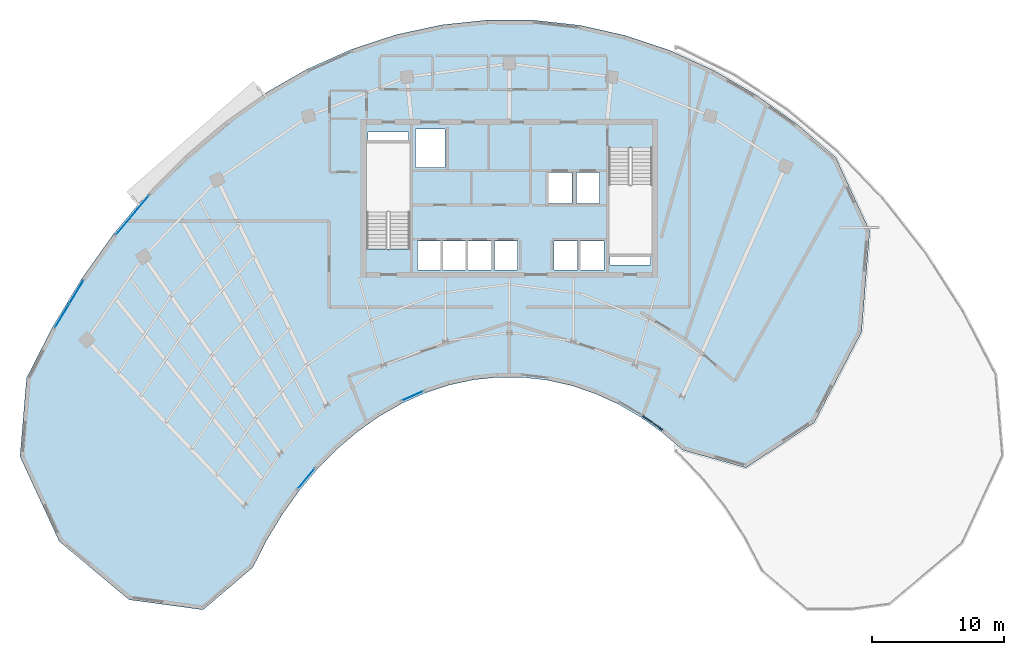
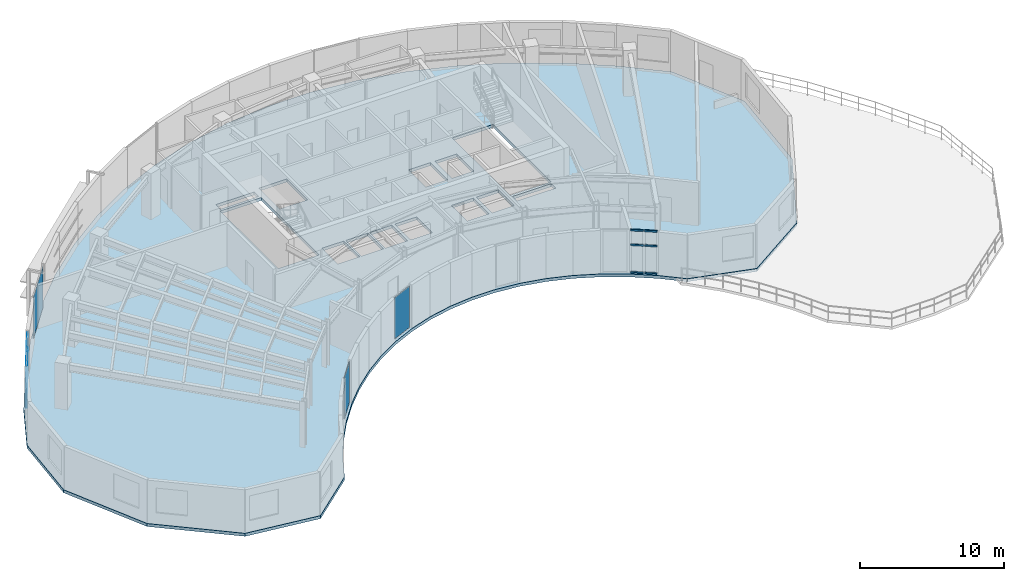
# One storey, part 5 of 15: 7 plates, 6 members, 1 slab, 5 elements without a shape of their own.
"""IFC4 building model written with IfcOpenShell, lengths in metres."""

from ifc_helpers import new_model, si_unit, direction, frame, origin, origin_2d, place, context, subcontext, project, spatial, polyline, rectangle, outline, extrude, source, transform, mapped, material, layer, layer_set, material_profile, profile_set, type_object, element, aggregate, save


model = new_model("IFC4")

# Units and contexts
model_context = context("Model", 3, precision=1e-05, world=origin(), true_north=direction((0.0, 1.0)))
body_context = subcontext(model_context, "Body", "Model", "MODEL_VIEW")
ifc_project = project(units=[si_unit("LENGTHUNIT", "METRE"), si_unit("AREAUNIT", "SQUARE_METRE"), si_unit("VOLUMEUNIT", "CUBIC_METRE"), si_unit("PLANEANGLEUNIT", "RADIAN"), si_unit("MASSUNIT", "GRAM", prefix="KILO")], contexts=[model_context])

# Site, building, storey
site_placement = place(None, origin())
site = spatial("IfcSite", under=ifc_project, at=site_placement, CompositionType="ELEMENT")
building_placement = place(site_placement, origin())
building = spatial("IfcBuilding", under=site, at=building_placement, Name="Breltana Convention Tower", CompositionType="ELEMENT")
storey_placement = place(building_placement, frame((0.0, 0.0, 231.300048828125)))
storey = spatial("IfcBuildingStorey", under=building, at=storey_placement, Name="L56", CompositionType="ELEMENT", Elevation=231.300048828125)

# Curtain wall, members
ifc_material_1 = material(Name="Aluminium Anodised Bronze Frame", Category="aluminium")
ifc_layer_1 = layer(ifc_material_1, 0.18994140625, Name="Aluminium Anodised Bronze Frame")
ifc_layer_set_1 = layer_set([ifc_layer_1], Name="Aluminium Anodised Bronze Frame")
curtain_wall_type_1 = type_object("IfcCurtainWallType", Name="CW-SYS-1", PredefinedType="NOTDEFINED", material=ifc_layer_set_1)
curtain_wall_1_placement = place(storey_placement, origin())
curtain_wall_1 = element("IfcCurtainWall", 1, at=curtain_wall_1_placement, inside=storey, type_object=curtain_wall_type_1, Name="L56 inner south-court glazing 1", PredefinedType="NOTDEFINED")
ifc_material_2 = material(Name="Aluminium Anodised Bronze", Category="aluminium")
ifc_material_profile = material_profile(ifc_material_2, rectangle(XDim=0.080078125, YDim=0.139892578125, at=origin_2d()), Name="CWT-80X140")
ifc_profile_set = profile_set([ifc_material_profile], Name="Aluminium Anodised Bronze")
member_type = type_object("IfcMemberType", Name="CWT-140", PredefinedType="USERDEFINED", material=ifc_profile_set)
shared_shape_1 = source(origin(), body_context, "Body", "SweptSolid", [
    extrude(rectangle(XDim=0.080078125, YDim=0.139892578125, at=origin_2d()), origin(), (0.0, 0.0, 1.0), 0.88720703125),
])
member_1_placement = place(storey_placement, frame((59.6103515625, 48.673583984375, 0.0400390625), z_axis=(-0.814198008079, 0.580587292007, 0.0), x_axis=(-0.580587292007, -0.814198008079, 0.0)))
member_1 = element("IfcMember", 2, at=member_1_placement, type_object=member_type, Name="CW-01 transom 1.1", ObjectType="TRANSOM", PredefinedType="USERDEFINED", context=body_context, shape_type="MappedRepresentation", body=[
    mapped(shared_shape_1, transform((0.0, 0.0, 0.0), scale=1.0)),
])
member_2_placement = place(storey_placement, frame((59.6103515625, 48.673583984375, 2.37255859375), z_axis=(-0.814198008079, 0.580587292007, 0.0), x_axis=(-0.580587292007, -0.814198008079, 0.0)))
member_2 = element("IfcMember", 3, at=member_2_placement, type_object=member_type, Name="CW-01 transom 1.2", ObjectType="TRANSOM", PredefinedType="USERDEFINED", context=body_context, shape_type="MappedRepresentation", body=[
    mapped(shared_shape_1, transform((0.0, 0.0, 0.0), scale=1.0)),
])
member_3_placement = place(storey_placement, frame((59.6103515625, 48.673583984375, 3.60986328125), z_axis=(-0.814198008079, 0.580587292007, 0.0), x_axis=(-0.580587292007, -0.814198008079, 0.0)))
member_3 = element("IfcMember", 4, at=member_3_placement, type_object=member_type, Name="CW-01 transom 1.3", ObjectType="TRANSOM", PredefinedType="USERDEFINED", context=body_context, shape_type="MappedRepresentation", body=[
    mapped(shared_shape_1, transform((0.0, 0.0, 0.0), scale=1.0)),
])
shared_shape_2 = source(origin(), body_context, "Body", "SweptSolid", [
    extrude(rectangle(XDim=0.080078125, YDim=0.139892578125, at=origin_2d()), origin(), (0.0, 0.0, 1.0), 0.887451171875),
])
member_4_placement = place(storey_placement, frame((58.82275390625, 49.235107421875, 0.0400390625), z_axis=(-0.814067936788, 0.58076965683, 0.0), x_axis=(-0.58076965683, -0.814067936788, 0.0)))
member_4 = element("IfcMember", 5, at=member_4_placement, type_object=member_type, Name="CW-01 transom 2.1", ObjectType="TRANSOM", PredefinedType="USERDEFINED", context=body_context, shape_type="MappedRepresentation", body=[
    mapped(shared_shape_2, transform((0.0, 0.0, 0.0), scale=1.0)),
])
member_5_placement = place(storey_placement, frame((58.82275390625, 49.235107421875, 2.37255859375), z_axis=(-0.814067936788, 0.58076965683, 0.0), x_axis=(-0.58076965683, -0.814067936788, 0.0)))
member_5 = element("IfcMember", 6, at=member_5_placement, type_object=member_type, Name="CW-01 transom 2.2", ObjectType="TRANSOM", PredefinedType="USERDEFINED", context=body_context, shape_type="MappedRepresentation", body=[
    mapped(shared_shape_2, transform((0.0, 0.0, 0.0), scale=1.0)),
])
member_6_placement = place(storey_placement, frame((58.82275390625, 49.235107421875, 3.60986328125), z_axis=(-0.814067936788, 0.58076965683, 0.0), x_axis=(-0.58076965683, -0.814067936788, 0.0)))
member_6 = element("IfcMember", 7, at=member_6_placement, type_object=member_type, Name="CW-01 transom 2.3", ObjectType="TRANSOM", PredefinedType="USERDEFINED", context=body_context, shape_type="MappedRepresentation", body=[
    mapped(shared_shape_2, transform((0.0, 0.0, 0.0), scale=1.0)),
])
aggregate(curtain_wall_1, [member_1, member_2, member_3, member_4, member_5, member_6])

# Slab
ifc_material_3 = material(Name="Concrete C40/50", Category="concrete")
ifc_layer_2 = layer(ifc_material_3, 0.25, Name="Concrete C40/50")
ifc_layer_set_2 = layer_set([ifc_layer_2], Name="Concrete C40/50")
slab_type = type_object("IfcSlabType", Name="SL-OFF-250", PredefinedType="FLOOR", material=ifc_layer_set_2)
slab_placement = place(storey_placement, frame((0.0, 0.0, -0.25)))
element("IfcSlab", 8, at=slab_placement, inside=storey, type_object=slab_type, Name="L56 Suspended Structural Floor Slab", PredefinedType="FLOOR", context=body_context, shape_type="SweptSolid", body=[
    extrude(outline(polyline([(72.72119140625, 69.309326171875), (69.777587890625, 71.839111328125), (66.690673828125, 74.040771484375), (63.480712890625, 75.89990234375), (60.1689453125, 77.404296875), (56.777099609375, 78.543701171875), (53.3271484375, 79.31103515625), (49.84228515625, 79.701171875), (46.345458984375, 79.71142578125), (42.859375, 79.341796875), (39.4072265625, 78.594482421875), (36.01171875, 77.474853515625), (32.69482421875, 75.989990234375), (29.47900390625, 74.149658203125), (26.385009765625, 71.966064453125), (23.43310546875, 69.453369140625), (20.64306640625, 66.62841796875), (18.033203125, 63.509765625), (15.62060546875, 60.11767578125), (13.4208984375, 56.474853515625), (11.44921875, 52.60498046875), (10.952392578125, 46.661865234375), (13.9169921875, 40.24951171875), (19.210693359375, 35.81689453125), (24.811279296875, 35.0576171875), (28.57958984375, 38.260986328125), (29.62744140625, 40.317138671875), (30.796142578125, 42.252685546875), (32.077880859375, 44.05517578125), (33.464599609375, 45.712158203125), (34.947021484375, 47.213134765625), (36.515380859375, 48.548095703125), (38.1591796875, 49.708251953125), (39.8681640625, 50.68603515625), (41.63037109375, 51.47509765625), (43.4345703125, 52.070068359375), (45.268798828125, 52.467041015625), (47.120849609375, 52.663330078125), (48.97900390625, 52.657958984375), (50.83056640625, 52.45068359375), (52.663330078125, 52.04296875), (54.465576171875, 51.4375), (56.225341796875, 50.63818359375), (57.930908203125, 49.650390625), (59.57080078125, 48.480712890625), (61.135009765625, 47.136474609375), (65.921142578125, 45.801025390625), (71.092041015625, 49.210205078125), (74.67236328125, 56.06201171875), (75.294677734375, 63.7392578125), (72.72119140625, 69.309326171875)]), holes=[polyline([(37.199951171875, 62.385009765625), (40.469970703125, 62.385009765625), (40.469970703125, 70.39990234375), (37.199951171875, 70.39990234375), (37.199951171875, 62.385009765625)]), polyline([(55.530029296875, 62.0), (58.800048828125, 62.0), (58.800048828125, 70.014892578125), (55.530029296875, 70.014892578125), (55.530029296875, 62.0)]), polyline([(41.0400390625, 60.800048828125), (42.800048828125, 60.800048828125), (42.800048828125, 62.97998046875), (41.0400390625, 62.97998046875), (41.0400390625, 60.800048828125)]), polyline([(42.93994140625, 60.800048828125), (44.699951171875, 60.800048828125), (44.699951171875, 62.97998046875), (42.93994140625, 62.97998046875), (42.93994140625, 60.800048828125)]), polyline([(44.8701171875, 60.800048828125), (46.6298828125, 60.800048828125), (46.6298828125, 62.97998046875), (44.8701171875, 62.97998046875), (44.8701171875, 60.800048828125)]), polyline([(46.8701171875, 60.800048828125), (48.6298828125, 60.800048828125), (48.6298828125, 62.97998046875), (46.8701171875, 62.97998046875), (46.8701171875, 60.800048828125)]), polyline([(51.39990234375, 60.800048828125), (53.159912109375, 60.800048828125), (53.159912109375, 62.97998046875), (51.39990234375, 62.97998046875), (51.39990234375, 60.800048828125)]), polyline([(53.39990234375, 60.800048828125), (55.159912109375, 60.800048828125), (55.159912109375, 62.97998046875), (53.39990234375, 62.97998046875), (53.39990234375, 60.800048828125)]), polyline([(50.969970703125, 65.800048828125), (52.72998046875, 65.800048828125), (52.72998046875, 68.179931640625), (50.969970703125, 68.179931640625), (50.969970703125, 65.800048828125)]), polyline([(53.070068359375, 65.800048828125), (54.830078125, 65.800048828125), (54.830078125, 68.179931640625), (53.070068359375, 68.179931640625), (53.070068359375, 65.800048828125)]), polyline([(40.8798828125, 68.550048828125), (43.1201171875, 68.550048828125), (43.1201171875, 71.449951171875), (40.8798828125, 71.449951171875), (40.8798828125, 68.550048828125)]), polyline([(37.300048828125, 70.60009765625), (40.3798828125, 70.60009765625), (40.3798828125, 71.219970703125), (37.300048828125, 71.219970703125), (37.300048828125, 70.60009765625)]), polyline([(55.6201171875, 61.179931640625), (58.699951171875, 61.179931640625), (58.699951171875, 61.800048828125), (55.6201171875, 61.800048828125), (55.6201171875, 61.179931640625)])]), origin(), (0.0, 0.0, 1.0), 0.25),
])

# Curtain wall, plate
curtain_wall_2_placement = place(storey_placement, origin())
curtain_wall_2 = element("IfcCurtainWall", 9, at=curtain_wall_2_placement, inside=storey, type_object=curtain_wall_type_1, Name="L56 inner south-court glazing 4", PredefinedType="NOTDEFINED")
ifc_material_4 = material(Name="Glass Low-E Double Glazing", Category="glass")
ifc_layer_3 = layer(ifc_material_4, 0.028076171875, Name="Glass Low-E Double Glazing")
ifc_layer_set_3 = layer_set([ifc_layer_3], Name="Glass Low-E Double Glazing")
plate_type = type_object("IfcPlateType", Name="CWP-IGU-28", PredefinedType="CURTAIN_PANEL", material=ifc_layer_set_3)
shared_shape_3 = source(origin(), body_context, "Body", "SweptSolid", [
    extrude(rectangle(XDim=1.770751953125, YDim=0.028076171875, at=origin_2d()), origin(), (0.0, 0.0, 1.0), 3.489990234375),
])
plate_1_placement = place(storey_placement, frame((40.67578125, 51.244873046875, 0.080078125), z_axis=(0.0, 0.0, 1.0), x_axis=(-0.912712541396, -0.408602272116, 0.0)))
plate_1 = element("IfcPlate", 10, at=plate_1_placement, type_object=plate_type, Name="CW-01 panel 1.1", PredefinedType="CURTAIN_PANEL", context=body_context, shape_type="MappedRepresentation", body=[
    mapped(shared_shape_3, transform((0.0, 0.0, 0.0), scale=1.0)),
])
aggregate(curtain_wall_2, [plate_1])

curtain_wall_3_placement = place(storey_placement, origin())
curtain_wall_3 = element("IfcCurtainWall", 11, at=curtain_wall_3_placement, inside=storey, type_object=curtain_wall_type_1, Name="L56 inner south-court glazing 5", PredefinedType="NOTDEFINED")
shared_shape_4 = source(origin(), body_context, "Body", "SweptSolid", [
    extrude(rectangle(XDim=2.000732421875, YDim=0.028076171875, at=origin_2d()), origin(), (0.0, 0.0, 1.0), 3.489990234375),
])
plate_2_placement = place(storey_placement, frame((32.63330078125, 44.9990234375, 0.080078125), z_axis=(0.0, 0.0, 1.0), x_axis=(-0.641785408725, -0.766884273635, 0.0)))
plate_2 = element("IfcPlate", 12, at=plate_2_placement, type_object=plate_type, Name="CW-01 panel 1.1", PredefinedType="CURTAIN_PANEL", context=body_context, shape_type="MappedRepresentation", body=[
    mapped(shared_shape_4, transform((0.0, 0.0, 0.0), scale=1.0)),
])
aggregate(curtain_wall_3, [plate_2])

# Curtain wall, plates
ifc_layer_4 = layer(ifc_material_1, 0.219970703125, Name="Aluminium Anodised Bronze Frame")
ifc_layer_set_4 = layer_set([ifc_layer_4], Name="Aluminium Anodised Bronze Frame")
curtain_wall_type_2 = type_object("IfcCurtainWallType", Name="CW-SYS-4", PredefinedType="NOTDEFINED", material=ifc_layer_set_4)
curtain_wall_4_placement = place(storey_placement, origin())
curtain_wall_4 = element("IfcCurtainWall", 13, at=curtain_wall_4_placement, inside=storey, type_object=curtain_wall_type_2, Name="L56 outer double-skin inner glazing 1", PredefinedType="NOTDEFINED")
shared_shape_5 = source(origin(), body_context, "Body", "SweptSolid", [
    extrude(rectangle(XDim=2.001220703125, YDim=0.028076171875, at=origin_2d()), origin(), (0.0, 0.0, 1.0), 2.267578125),
])
plate_3_placement = place(storey_placement, frame((14.136962890625, 57.312255859375, 0.06982421875), z_axis=(0.0, 0.0, 1.0), x_axis=(0.516875291963, 0.856060706117, 0.0)))
plate_3 = element("IfcPlate", 14, at=plate_3_placement, type_object=plate_type, Name="CW-04 panel 1.1", PredefinedType="CURTAIN_PANEL", context=body_context, shape_type="MappedRepresentation", body=[
    mapped(shared_shape_5, transform((0.0, 0.0, 0.0), scale=1.0)),
])
plate_4_placement = place(storey_placement, frame((15.212646484375, 59.093994140625, 0.06982421875), z_axis=(0.0, 0.0, 1.0), x_axis=(0.516875291963, 0.856060706117, 0.0)))
plate_4 = element("IfcPlate", 15, at=plate_4_placement, type_object=plate_type, Name="CW-04 panel 2.1", PredefinedType="CURTAIN_PANEL", context=body_context, shape_type="MappedRepresentation", body=[
    mapped(shared_shape_5, transform((0.0, 0.0, 0.0), scale=1.0)),
])
shared_shape_6 = source(origin(), body_context, "Body", "SweptSolid", [
    extrude(rectangle(XDim=2.001220703125, YDim=0.028076171875, at=origin_2d()), origin(), (0.0, 0.0, 1.0), 1.172607421875),
])
plate_5_placement = place(storey_placement, frame((14.136962890625, 57.312255859375, 2.4072265625), z_axis=(0.0, 0.0, 1.0), x_axis=(0.516875291963, 0.856060706117, 0.0)))
plate_5 = element("IfcPlate", 16, at=plate_5_placement, type_object=plate_type, Name="CW-04 panel 1.2", PredefinedType="CURTAIN_PANEL", context=body_context, shape_type="MappedRepresentation", body=[
    mapped(shared_shape_6, transform((0.0, 0.0, 0.0), scale=1.0)),
])
plate_6_placement = place(storey_placement, frame((15.212646484375, 59.093994140625, 2.4072265625), z_axis=(0.0, 0.0, 1.0), x_axis=(0.516875291963, 0.856060706117, 0.0)))
plate_6 = element("IfcPlate", 17, at=plate_6_placement, type_object=plate_type, Name="CW-04 panel 2.2", PredefinedType="CURTAIN_PANEL", context=body_context, shape_type="MappedRepresentation", body=[
    mapped(shared_shape_6, transform((0.0, 0.0, 0.0), scale=1.0)),
])
aggregate(curtain_wall_4, [plate_3, plate_5, plate_4, plate_6])

# Curtain wall, plate
curtain_wall_5_placement = place(storey_placement, origin())
curtain_wall_5 = element("IfcCurtainWall", 18, at=curtain_wall_5_placement, inside=storey, type_object=curtain_wall_type_2, Name="L56 outer double-skin inner glazing 2", PredefinedType="NOTDEFINED")
shared_shape_7 = source(origin(), body_context, "Body", "SweptSolid", [
    extrude(rectangle(XDim=3.892333984375, YDim=0.028076171875, at=origin_2d()), origin(), (0.0, 0.0, 1.0), 3.510009765625),
])
plate_7_placement = place(storey_placement, frame((19.47607421875, 64.953369140625, 0.06982421875), z_axis=(0.0, 0.0, 1.0), x_axis=(0.64176321485, 0.766902846562, 0.0)))
plate_7 = element("IfcPlate", 19, at=plate_7_placement, type_object=plate_type, Name="CW-04 panel 1.1", PredefinedType="CURTAIN_PANEL", context=body_context, shape_type="MappedRepresentation", body=[
    mapped(shared_shape_7, transform((0.0, 0.0, 0.0), scale=1.0)),
])
aggregate(curtain_wall_5, [plate_7])

save(model, "model.ifc")
